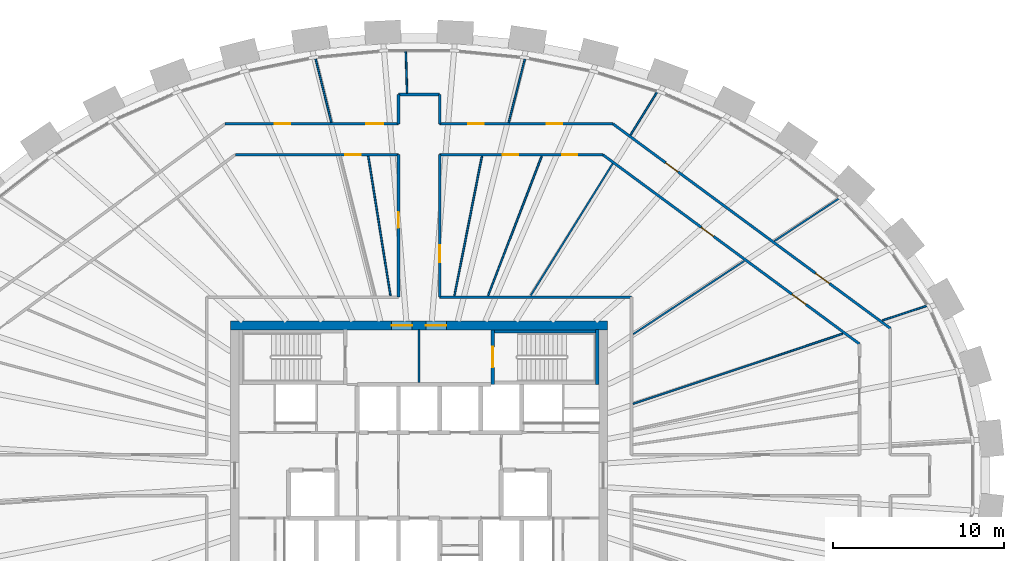
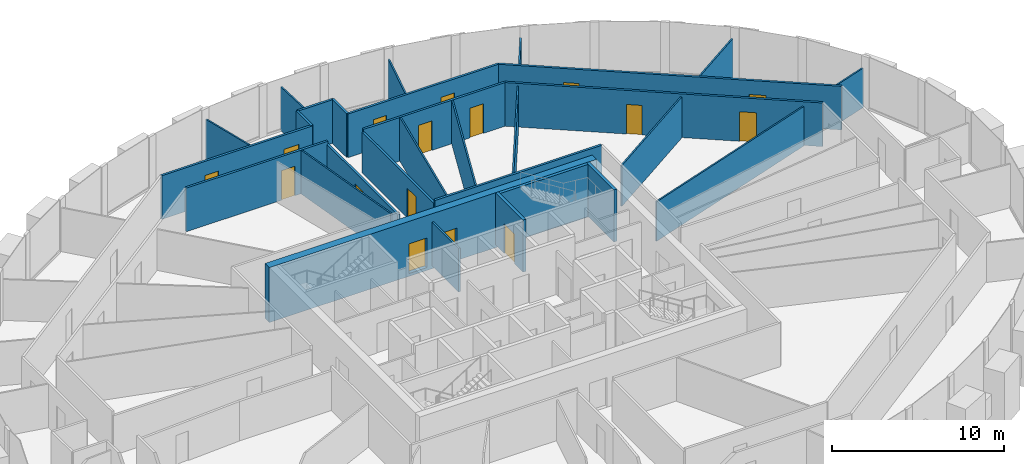
# One storey, part 10 of 12: 29 walls, 16 doors, 16 openings.
"""IFC4 building model written with IfcOpenShell, lengths in metres."""

from ifc_helpers import new_model, si_unit, direction, frame, frame_2d, origin, place, context, subcontext, project, spatial, rectangle, extrude, source, transform, mapped, material, layer, layer_set, type_object, element, fill, save


model = new_model("IFC4")

# Units and contexts
model_context = context("Model", 3, precision=1e-05, world=origin(), true_north=direction((0.0, 1.0)))
body_context = subcontext(model_context, "Body", "Model", "MODEL_VIEW")
ifc_project = project(units=[si_unit("LENGTHUNIT", "METRE"), si_unit("AREAUNIT", "SQUARE_METRE"), si_unit("VOLUMEUNIT", "CUBIC_METRE"), si_unit("PLANEANGLEUNIT", "RADIAN"), si_unit("MASSUNIT", "GRAM", prefix="KILO")], contexts=[model_context])

# Site, building, storey
site_placement = place(None, origin())
site = spatial("IfcSite", under=ifc_project, at=site_placement, CompositionType="ELEMENT")
building_placement = place(site_placement, origin())
building = spatial("IfcBuilding", under=site, at=building_placement, Name="Embergate Tower", CompositionType="ELEMENT")
storey_placement = place(building_placement, frame((0.0, 0.0, 250.0)))
storey = spatial("IfcBuildingStorey", under=building, at=storey_placement, Name="L57", CompositionType="ELEMENT", Elevation=250.0)

# Wall, openings, doors
ifc_material_1 = material(Name="Concrete C50", Category="concrete")
ifc_layer_1 = layer(ifc_material_1, 0.5)
ifc_layer_set_1 = layer_set([ifc_layer_1], Name="Concrete C50")
wall_type_1 = type_object("IfcWallType", Name="Core outer wall C50 500", PredefinedType="SHEAR", material=ifc_layer_set_1)
shared_shape_1 = source(origin(), body_context, "Body", "SweptSolid", [
    extrude(rectangle(XDim=22.0, YDim=0.5, at=frame_2d((11.0, 0.0))), origin(), (0.0, 0.0, 1.0), 3.89990234375),
])
wall_1_placement = place(storey_placement, frame((-11.0, 8.75, -0.199951171875), z_axis=(0.0, 0.0, 1.0), x_axis=(1.0, 0.0, 0.0)))
wall_1 = element("IfcWall", 1, at=wall_1_placement, inside=storey, type_object=wall_type_1, Name="CW-L57-N", PredefinedType="SHEAR", context=body_context, shape_type="MappedRepresentation", body=[
    mapped(shared_shape_1, transform((0.0, 0.0, 0.0))),
])
shared_shape_2 = source(origin(), body_context, "Body", "SweptSolid", [
    extrude(rectangle(XDim=1.199951171875, YDim=2.10009765625, at=frame_2d((0.60009765625, 1.050048828125))), frame((0.0, 0.260009765625, 0.0), z_axis=(0.0, -1.0, 0.0), x_axis=(1.0, 0.0, 0.0)), (0.0, 0.0, 1.0), 0.52001953125),
])
opening_1_placement = place(wall_1_placement, frame((9.39990234375, 0.0, 0.199951171875)))
opening_1 = element("IfcOpeningElement", 2, at=opening_1_placement, cuts=wall_1, Name="Opening IF-1", PredefinedType="OPENING", context=body_context, shape_type="MappedRepresentation", body=[
    mapped(shared_shape_2, transform((0.0, 0.0, 0.0))),
])
opening_2_placement = place(wall_1_placement, frame((11.39990234375, 0.0, 0.199951171875)))
opening_2 = element("IfcOpeningElement", 3, at=opening_2_placement, cuts=wall_1, Name="Opening IF-1", PredefinedType="OPENING", context=body_context, shape_type="MappedRepresentation", body=[
    mapped(shared_shape_2, transform((0.0, 0.0, 0.0))),
])
ifc_material_2 = material(Name="Escape fire door 1200")
door_type_1 = type_object("IfcDoorType", Name="Escape fire door 1200", OperationType="SINGLE_SWING_LEFT", PredefinedType="DOOR", material=ifc_material_2)
shared_shape_3 = source(origin(), body_context, "Body", "SweptSolid", [
    extrude(rectangle(XDim=1.199951171875, YDim=2.10009765625, at=frame_2d((0.60009765625, 1.050048828125))), frame((0.0, 0.02490234375, 0.0), z_axis=(0.0, -1.0, 0.0), x_axis=(1.0, 0.0, 0.0)), (0.0, 0.0, 1.0), 0.050048828125),
])
door_1_placement = place(opening_1_placement, origin())
door_1 = element("IfcDoor", 4, at=door_1_placement, inside=storey, type_object=door_type_1, Name="IF-1 door", OperationType="SINGLE_SWING_LEFT", OverallHeight=2.10009765625, OverallWidth=1.199951171875, PredefinedType="DOOR", context=body_context, shape_type="MappedRepresentation", body=[
    mapped(shared_shape_3, transform((0.0, 0.0, 0.0))),
])
fill(opening_1, door_1)
door_2_placement = place(opening_2_placement, origin())
door_2 = element("IfcDoor", 5, at=door_2_placement, inside=storey, type_object=door_type_1, Name="IF-1 door", OperationType="SINGLE_SWING_LEFT", OverallHeight=2.10009765625, OverallWidth=1.199951171875, PredefinedType="DOOR", context=body_context, shape_type="MappedRepresentation", body=[
    mapped(shared_shape_3, transform((0.0, 0.0, 0.0))),
])
fill(opening_2, door_2)

# Wall, opening, door
ifc_layer_2 = layer(ifc_material_1, 0.199951171875)
ifc_layer_set_2 = layer_set([ifc_layer_2], Name="Concrete C50")
wall_type_2 = type_object("IfcWallType", Name="Stair enclosure wall reinforced concrete 250", PredefinedType="SHEAR", material=ifc_layer_set_2)
shared_shape_4 = source(origin(), body_context, "Body", "SweptSolid", [
    extrude(rectangle(XDim=3.199951171875, YDim=0.199951171875, at=frame_2d((1.60009765625, 0.0))), origin(), (0.0, 0.0, 1.0), 3.699951171875),
])
wall_2_placement = place(storey_placement, frame((4.300048828125, 8.5, 0.0), z_axis=(0.0, 0.0, 1.0), x_axis=(0.0, -1.0, 0.0)))
wall_2 = element("IfcWall", 6, at=wall_2_placement, inside=storey, type_object=wall_type_2, Name="SE-1 wall", PredefinedType="SHEAR", context=body_context, shape_type="MappedRepresentation", body=[
    mapped(shared_shape_4, transform((0.0, 0.0, 0.0))),
])
shared_shape_5 = source(origin(), body_context, "Body", "SweptSolid", [
    extrude(rectangle(XDim=1.199951171875, YDim=2.10009765625, at=frame_2d((0.60009765625, 1.050048828125))), frame((0.0, 0.10986328125, 0.0), z_axis=(0.0, -1.0, 0.0), x_axis=(1.0, 0.0, 0.0)), (0.0, 0.0, 1.0), 0.219970703125),
])
opening_3_placement = place(wall_2_placement, frame((1.0, 0.0, 0.0)))
opening_3 = element("IfcOpeningElement", 7, at=opening_3_placement, cuts=wall_2, Name="Opening IF-2", PredefinedType="OPENING", context=body_context, shape_type="MappedRepresentation", body=[
    mapped(shared_shape_5, transform((0.0, 0.0, 0.0))),
])
ifc_material_3 = material(Name="Stair enclosure door 1200")
door_type_2 = type_object("IfcDoorType", Name="Stair enclosure door 1200", OperationType="SINGLE_SWING_LEFT", PredefinedType="DOOR", material=ifc_material_3)
door_3_placement = place(opening_3_placement, origin())
door_3 = element("IfcDoor", 8, at=door_3_placement, inside=storey, type_object=door_type_2, Name="IF-2 door", OperationType="SINGLE_SWING_LEFT", OverallHeight=2.10009765625, OverallWidth=1.199951171875, PredefinedType="DOOR", context=body_context, shape_type="MappedRepresentation", body=[
    mapped(shared_shape_3, transform((0.0, 0.0, 0.0))),
])
fill(opening_3, door_3)

# Wall
wall_3_placement = place(storey_placement, frame((10.39990234375, 5.300048828125, 0.0), z_axis=(0.0, 0.0, 1.0), x_axis=(0.0, 1.0, 0.0)))
element("IfcWall", 9, at=wall_3_placement, inside=storey, type_object=wall_type_2, Name="SE-1 wall", PredefinedType="SHEAR", context=body_context, shape_type="MappedRepresentation", body=[
    mapped(shared_shape_4, transform((0.0, 0.0, 0.0))),
])

# Wall, opening, door
ifc_material_4 = material(Name="Corridor wall dry-lined 150")
ifc_layer_3 = layer(ifc_material_4, 0.14990234375)
ifc_layer_set_3 = layer_set([ifc_layer_3], Name="Corridor wall dry-lined 150")
wall_type_3 = type_object("IfcWallType", Name="Corridor wall dry-lined 150", PredefinedType="PARTITIONING", material=ifc_layer_set_3)
shared_shape_6 = source(origin(), body_context, "Body", "SweptSolid", [
    extrude(rectangle(XDim=8.318115234375, YDim=0.14990234375, at=frame_2d((4.1591796875, 0.0))), origin(), (0.0, 0.0, 1.0), 2.89990234375),
])
wall_4_placement = place(storey_placement, frame((-1.199951171875, 10.39990234375, 0.0), z_axis=(0.0, 0.0, 1.0), x_axis=(0.0, 1.0, 0.0)))
wall_4 = element("IfcWall", 10, at=wall_4_placement, inside=storey, type_object=wall_type_3, Name="IP-2 wall", PredefinedType="PARTITIONING", context=body_context, shape_type="MappedRepresentation", body=[
    mapped(shared_shape_6, transform((0.0, 0.0, 0.0))),
])
shared_shape_7 = source(origin(), body_context, "Body", "SweptSolid", [
    extrude(rectangle(XDim=0.89990234375, YDim=2.10009765625, at=frame_2d((0.449951171875, 1.050048828125))), frame((0.0, 0.0849609375, 0.0), z_axis=(0.0, -1.0, 0.0), x_axis=(1.0, 0.0, 0.0)), (0.0, 0.0, 1.0), 0.169921875),
])
opening_4_placement = place(wall_4_placement, frame((4.050048828125, 0.0, 0.0)))
opening_4 = element("IfcOpeningElement", 11, at=opening_4_placement, cuts=wall_4, Name="Opening IF-1c", PredefinedType="OPENING", context=body_context, shape_type="MappedRepresentation", body=[
    mapped(shared_shape_7, transform((0.0, 0.0, 0.0))),
])
ifc_material_5 = material(Name="Escape fire door 900")
door_type_3 = type_object("IfcDoorType", Name="Escape fire door 900", OperationType="SINGLE_SWING_LEFT", PredefinedType="DOOR", material=ifc_material_5)
shared_shape_8 = source(origin(), body_context, "Body", "SweptSolid", [
    extrude(rectangle(XDim=0.89990234375, YDim=2.10009765625, at=frame_2d((0.449951171875, 1.050048828125))), frame((0.0, 0.02490234375, 0.0), z_axis=(0.0, -1.0, 0.0), x_axis=(1.0, 0.0, 0.0)), (0.0, 0.0, 1.0), 0.050048828125),
])
door_4_placement = place(opening_4_placement, origin())
door_4 = element("IfcDoor", 12, at=door_4_placement, inside=storey, type_object=door_type_3, Name="IF-1 door", OperationType="SINGLE_SWING_RIGHT", OverallHeight=2.10009765625, OverallWidth=0.89990234375, PredefinedType="DOOR", context=body_context, shape_type="MappedRepresentation", body=[
    mapped(shared_shape_8, transform((0.0, 0.0, 0.0))),
])
fill(opening_4, door_4)

wall_5_placement = place(storey_placement, frame((1.199951171875, 18.718017578125, 0.0), z_axis=(0.0, 0.0, 1.0), x_axis=(0.0, -1.0, 0.0)))
wall_5 = element("IfcWall", 13, at=wall_5_placement, inside=storey, type_object=wall_type_3, Name="IP-2 wall", PredefinedType="PARTITIONING", context=body_context, shape_type="MappedRepresentation", body=[
    mapped(shared_shape_6, transform((0.0, 0.0, 0.0))),
])
shared_shape_9 = source(origin(), body_context, "Body", "SweptSolid", [
    extrude(rectangle(XDim=1.0, YDim=2.10009765625, at=frame_2d((0.5, 1.050048828125))), frame((0.0, 0.0849609375, 0.0), z_axis=(0.0, -1.0, 0.0), x_axis=(1.0, 0.0, 0.0)), (0.0, 0.0, 1.0), 0.169921875),
])
opening_5_placement = place(wall_5_placement, frame((5.270751953125, 0.0, 0.0)))
opening_5 = element("IfcOpeningElement", 14, at=opening_5_placement, cuts=wall_5, Name="Opening ID-2", PredefinedType="OPENING", context=body_context, shape_type="MappedRepresentation", body=[
    mapped(shared_shape_9, transform((0.0, 0.0, 0.0))),
])
ifc_material_6 = material(Name="Interior door 1000")
door_type_4 = type_object("IfcDoorType", Name="Interior door 1000", OperationType="SINGLE_SWING_LEFT", PredefinedType="DOOR", material=ifc_material_6)
shared_shape_10 = source(origin(), body_context, "Body", "SweptSolid", [
    extrude(rectangle(XDim=1.0, YDim=2.10009765625, at=frame_2d((0.5, 1.050048828125))), frame((0.0, 0.02490234375, 0.0), z_axis=(0.0, -1.0, 0.0), x_axis=(1.0, 0.0, 0.0)), (0.0, 0.0, 1.0), 0.050048828125),
])
door_5_placement = place(opening_5_placement, origin())
door_5 = element("IfcDoor", 15, at=door_5_placement, inside=storey, type_object=door_type_4, Name="ID-2 door", OperationType="SINGLE_SWING_LEFT", OverallHeight=2.10009765625, OverallWidth=1.0, PredefinedType="DOOR", context=body_context, shape_type="MappedRepresentation", body=[
    mapped(shared_shape_10, transform((0.0, 0.0, 0.0))),
])
fill(opening_5, door_5)

# Walls
ifc_material_7 = material(Name="Partition dry-lined 100")
ifc_layer_4 = layer(ifc_material_7, 0.10009765625)
ifc_layer_set_4 = layer_set([ifc_layer_4], Name="Partition dry-lined 100")
wall_type_4 = type_object("IfcWallType", Name="Partition dry-lined 100", PredefinedType="PARTITIONING", material=ifc_layer_set_4)
shared_shape_11 = source(origin(), body_context, "Body", "SweptSolid", [
    extrude(rectangle(XDim=4.563720703125, YDim=0.10009765625, at=frame_2d((2.28173828125, 0.0))), origin(), (0.0, 0.0, 1.0), 2.89990234375),
])
wall_6_placement = place(storey_placement, frame((20.75, 13.678955078125, 0.0), z_axis=(0.0, 0.0, 1.0), x_axis=(0.834878865051, 0.550433720525, 0.0)))
element("IfcWall", 16, at=wall_6_placement, inside=storey, type_object=wall_type_4, Name="IP-1 wall", PredefinedType="PARTITIONING", context=body_context, shape_type="MappedRepresentation", body=[
    mapped(shared_shape_11, transform((0.0, 0.0, 0.0))),
])
shared_shape_12 = source(origin(), body_context, "Body", "SweptSolid", [
    extrude(rectangle(XDim=3.010498046875, YDim=0.10009765625, at=frame_2d((1.50537109375, 0.0))), origin(), (0.0, 0.0, 1.0), 2.89990234375),
])
wall_7_placement = place(storey_placement, frame((12.3349609375, 19.861083984375, 0.0), z_axis=(0.0, 0.0, 1.0), x_axis=(0.52786139666, 0.849330528072, 0.0)))
element("IfcWall", 17, at=wall_7_placement, inside=storey, type_object=wall_type_4, Name="IP-1 wall", PredefinedType="PARTITIONING", context=body_context, shape_type="MappedRepresentation", body=[
    mapped(shared_shape_12, transform((0.0, 0.0, 0.0))),
])
shared_shape_13 = source(origin(), body_context, "Body", "SweptSolid", [
    extrude(rectangle(XDim=7.7646484375, YDim=0.10009765625, at=frame_2d((3.88232421875, 0.0))), origin(), (0.0, 0.0, 1.0), 2.89990234375),
])
wall_8_placement = place(storey_placement, frame((12.501953125, 8.241943359375, 0.0), z_axis=(0.0, 0.0, 1.0), x_axis=(0.834960503085, 0.550309874788, 0.0)))
element("IfcWall", 18, at=wall_8_placement, inside=storey, type_object=wall_type_4, Name="IP-1 wall", PredefinedType="PARTITIONING", context=body_context, shape_type="MappedRepresentation", body=[
    mapped(shared_shape_13, transform((0.0, 0.0, 0.0))),
])
shared_shape_14 = source(origin(), body_context, "Body", "SweptSolid", [
    extrude(rectangle(XDim=9.063232421875, YDim=0.10009765625, at=frame_2d((4.53173828125, 0.0))), origin(), (0.0, 0.0, 1.0), 2.89990234375),
])
wall_9_placement = place(storey_placement, frame((6.52197265625, 10.5009765625, 0.0), z_axis=(0.0, 0.0, 1.0), x_axis=(0.52762636224, 0.849476557575, 0.0)))
element("IfcWall", 19, at=wall_9_placement, inside=storey, type_object=wall_type_4, Name="IP-1 wall", PredefinedType="PARTITIONING", context=body_context, shape_type="MappedRepresentation", body=[
    mapped(shared_shape_14, transform((0.0, 0.0, 0.0))),
])
shared_shape_15 = source(origin(), body_context, "Body", "SweptSolid", [
    extrude(rectangle(XDim=3.889892578125, YDim=0.10009765625, at=frame_2d((1.94482421875, 0.0))), origin(), (0.0, 0.0, 1.0), 2.89990234375),
])
wall_10_placement = place(storey_placement, frame((5.237060546875, 20.60498046875, 0.0), z_axis=(0.0, 0.0, 1.0), x_axis=(0.246284867829, 0.969197484457, 0.0)))
element("IfcWall", 20, at=wall_10_placement, inside=storey, type_object=wall_type_4, Name="IP-1 wall", PredefinedType="PARTITIONING", context=body_context, shape_type="MappedRepresentation", body=[
    mapped(shared_shape_15, transform((0.0, 0.0, 0.0))),
])
shared_shape_16 = source(origin(), body_context, "Body", "SweptSolid", [
    extrude(rectangle(XDim=3.905029296875, YDim=0.10009765625, at=frame_2d((1.95263671875, 0.0))), origin(), (0.0, 0.0, 1.0), 2.89990234375),
])
wall_11_placement = place(storey_placement, frame((-5.116943359375, 20.60498046875, 0.0), z_axis=(0.0, 0.0, 1.0), x_axis=(-0.241005480194, 0.970523754741, 0.0)))
element("IfcWall", 21, at=wall_11_placement, inside=storey, type_object=wall_type_4, Name="IP-1 wall", PredefinedType="PARTITIONING", context=body_context, shape_type="MappedRepresentation", body=[
    mapped(shared_shape_16, transform((0.0, 0.0, 0.0))),
])
shared_shape_17 = source(origin(), body_context, "Body", "SweptSolid", [
    extrude(rectangle(XDim=6.298095703125, YDim=0.199951171875, at=frame_2d((3.14892578125, 0.0))), origin(), (0.0, 0.0, 1.0), 3.699951171875),
])
wall_12_placement = place(storey_placement, frame((10.5, 8.39990234375, 0.0), z_axis=(0.0, 0.0, 1.0), x_axis=(-1.0, 0.0, 0.0)))
element("IfcWall", 22, at=wall_12_placement, inside=storey, type_object=wall_type_2, Name="SE-1 wall", PredefinedType="SHEAR", context=body_context, shape_type="MappedRepresentation", body=[
    mapped(shared_shape_17, transform((0.0, 0.0, 0.0))),
])

# Wall, openings, doors
ifc_material_8 = material(Name="Corridor wall dry-lined 150 wet")
ifc_layer_5 = layer(ifc_material_8, 0.14990234375)
ifc_layer_set_5 = layer_set([ifc_layer_5], Name="Corridor wall dry-lined 150 wet")
wall_type_5 = type_object("IfcWallType", Name="Corridor wall dry-lined 150 wet", PredefinedType="PLUMBINGWALL", material=ifc_layer_set_5)
shared_shape_18 = source(origin(), body_context, "Body", "SweptSolid", [
    extrude(rectangle(XDim=20.116455078125, YDim=0.14990234375, at=frame_2d((10.05810546875, 0.0))), origin(), (0.0, 0.0, 1.0), 3.10009765625),
])
wall_13_placement = place(storey_placement, frame((11.319091796875, 20.51806640625, 0.0), z_axis=(0.0, 0.0, 1.0), x_axis=(0.804910001979, -0.593396906559, 0.0)))
wall_13 = element("IfcWall", 23, at=wall_13_placement, inside=storey, type_object=wall_type_5, Name="IP-2 wall", PredefinedType="PLUMBINGWALL", context=body_context, shape_type="MappedRepresentation", body=[
    mapped(shared_shape_18, transform((0.0, 0.0, 0.0))),
])
opening_6_placement = place(wall_13_placement, frame((14.701904296875, 0.0, 0.0)))
opening_6 = element("IfcOpeningElement", 24, at=opening_6_placement, cuts=wall_13, Name="Opening ID-2", PredefinedType="OPENING", context=body_context, shape_type="MappedRepresentation", body=[
    mapped(shared_shape_9, transform((0.0, 0.0, 0.0))),
])
opening_7_placement = place(wall_13_placement, frame((3.82666015625, 0.0, 0.0)))
opening_7 = element("IfcOpeningElement", 25, at=opening_7_placement, cuts=wall_13, Name="Opening IF-1c", PredefinedType="OPENING", context=body_context, shape_type="MappedRepresentation", body=[
    mapped(shared_shape_7, transform((0.0, 0.0, 0.0))),
])
door_6_placement = place(opening_7_placement, origin())
door_6 = element("IfcDoor", 26, at=door_6_placement, inside=storey, type_object=door_type_3, Name="IF-1 door", OperationType="SINGLE_SWING_LEFT", OverallHeight=2.10009765625, OverallWidth=0.89990234375, PredefinedType="DOOR", context=body_context, shape_type="MappedRepresentation", body=[
    mapped(shared_shape_8, transform((0.0, 0.0, 0.0))),
])
fill(opening_7, door_6)
door_7_placement = place(opening_6_placement, origin())
door_7 = element("IfcDoor", 27, at=door_7_placement, inside=storey, type_object=door_type_4, Name="ID-2 door", OperationType="SINGLE_SWING_LEFT", OverallHeight=2.10009765625, OverallWidth=1.0, PredefinedType="DOOR", context=body_context, shape_type="MappedRepresentation", body=[
    mapped(shared_shape_10, transform((0.0, 0.0, 0.0))),
])
fill(opening_6, door_7)

shared_shape_19 = source(origin(), body_context, "Body", "SweptSolid", [
    extrude(rectangle(XDim=18.615966796875, YDim=0.14990234375, at=frame_2d((9.30810546875, 0.0))), origin(), (0.0, 0.0, 1.0), 3.10009765625),
])
wall_14_placement = place(storey_placement, frame((10.72705078125, 18.718017578125, 0.0), z_axis=(0.0, 0.0, 1.0), x_axis=(0.804892640185, -0.593420456149, 0.0)))
wall_14 = element("IfcWall", 28, at=wall_14_placement, inside=storey, type_object=wall_type_5, Name="IP-2 wall", PredefinedType="PLUMBINGWALL", context=body_context, shape_type="MappedRepresentation", body=[
    mapped(shared_shape_19, transform((0.0, 0.0, 0.0))),
])
opening_8_placement = place(wall_14_placement, frame((13.73486328125, 0.0, 0.0)))
opening_8 = element("IfcOpeningElement", 29, at=opening_8_placement, cuts=wall_14, Name="Opening ID-2", PredefinedType="OPENING", context=body_context, shape_type="MappedRepresentation", body=[
    mapped(shared_shape_9, transform((0.0, 0.0, 0.0))),
])
opening_9_placement = place(wall_14_placement, frame((7.1396484375, 0.0, 0.0)))
opening_9 = element("IfcOpeningElement", 30, at=opening_9_placement, cuts=wall_14, Name="Opening IF-1c", PredefinedType="OPENING", context=body_context, shape_type="MappedRepresentation", body=[
    mapped(shared_shape_7, transform((0.0, 0.0, 0.0))),
])
door_8_placement = place(opening_9_placement, origin())
door_8 = element("IfcDoor", 31, at=door_8_placement, inside=storey, type_object=door_type_3, Name="IF-1 door", OperationType="SINGLE_SWING_LEFT", OverallHeight=2.10009765625, OverallWidth=0.89990234375, PredefinedType="DOOR", context=body_context, shape_type="MappedRepresentation", body=[
    mapped(shared_shape_8, transform((0.0, 0.0, 0.0))),
])
fill(opening_9, door_8)
door_9_placement = place(opening_8_placement, origin())
door_9 = element("IfcDoor", 32, at=door_9_placement, inside=storey, type_object=door_type_4, Name="ID-2 door", OperationType="SINGLE_SWING_LEFT", OverallHeight=2.10009765625, OverallWidth=1.0, PredefinedType="DOOR", context=body_context, shape_type="MappedRepresentation", body=[
    mapped(shared_shape_10, transform((0.0, 0.0, 0.0))),
])
fill(opening_8, door_9)

# Wall
shared_shape_20 = source(origin(), body_context, "Body", "SweptSolid", [
    extrude(rectangle(XDim=11.199951171875, YDim=0.14990234375, at=frame_2d((5.60009765625, 0.0))), origin(), (0.0, 0.0, 1.0), 3.10009765625),
])
wall_15_placement = place(storey_placement, frame((12.39990234375, 10.39990234375, 0.0), z_axis=(0.0, 0.0, 1.0), x_axis=(-1.0, 0.0, 0.0)))
element("IfcWall", 33, at=wall_15_placement, inside=storey, type_object=wall_type_3, Name="IP-2 wall", PredefinedType="PARTITIONING", context=body_context, shape_type="MappedRepresentation", body=[
    mapped(shared_shape_20, transform((0.0, 0.0, 0.0))),
])

# Wall, openings, doors
shared_shape_21 = source(origin(), body_context, "Body", "SweptSolid", [
    extrude(rectangle(XDim=10.119140625, YDim=0.14990234375, at=frame_2d((5.0595703125, 0.0))), origin(), (0.0, 0.0, 1.0), 3.10009765625),
])
wall_16_placement = place(storey_placement, frame((1.199951171875, 20.51806640625, 0.0), z_axis=(0.0, 0.0, 1.0), x_axis=(1.0, 0.0, 0.0)))
wall_16 = element("IfcWall", 34, at=wall_16_placement, inside=storey, type_object=wall_type_3, Name="IP-2 wall", PredefinedType="PARTITIONING", context=body_context, shape_type="MappedRepresentation", body=[
    mapped(shared_shape_21, transform((0.0, 0.0, 0.0))),
])
opening_10_placement = place(wall_16_placement, frame((6.248046875, 0.0, 0.0)))
opening_10 = element("IfcOpeningElement", 35, at=opening_10_placement, cuts=wall_16, Name="Opening IF-1c", PredefinedType="OPENING", context=body_context, shape_type="MappedRepresentation", body=[
    mapped(shared_shape_7, transform((0.0, 0.0, 0.0))),
])
opening_11_placement = place(wall_16_placement, frame((1.68310546875, 0.0, 0.0)))
opening_11 = element("IfcOpeningElement", 36, at=opening_11_placement, cuts=wall_16, Name="Opening IF-1c", PredefinedType="OPENING", context=body_context, shape_type="MappedRepresentation", body=[
    mapped(shared_shape_7, transform((0.0, 0.0, 0.0))),
])
door_10_placement = place(opening_10_placement, origin())
door_10 = element("IfcDoor", 37, at=door_10_placement, inside=storey, type_object=door_type_3, Name="IF-1 door", OperationType="SINGLE_SWING_RIGHT", OverallHeight=2.10009765625, OverallWidth=0.89990234375, PredefinedType="DOOR", context=body_context, shape_type="MappedRepresentation", body=[
    mapped(shared_shape_8, transform((0.0, 0.0, 0.0))),
])
fill(opening_10, door_10)
door_11_placement = place(opening_11_placement, origin())
door_11 = element("IfcDoor", 38, at=door_11_placement, inside=storey, type_object=door_type_3, Name="IF-1 door", OperationType="SINGLE_SWING_RIGHT", OverallHeight=2.10009765625, OverallWidth=0.89990234375, PredefinedType="DOOR", context=body_context, shape_type="MappedRepresentation", body=[
    mapped(shared_shape_8, transform((0.0, 0.0, 0.0))),
])
fill(opening_11, door_11)

wall_17_placement = place(storey_placement, frame((-11.319091796875, 20.51806640625, 0.0), z_axis=(0.0, 0.0, 1.0), x_axis=(1.0, 0.0, 0.0)))
wall_17 = element("IfcWall", 39, at=wall_17_placement, inside=storey, type_object=wall_type_3, Name="IP-2 wall", PredefinedType="PARTITIONING", context=body_context, shape_type="MappedRepresentation", body=[
    mapped(shared_shape_21, transform((0.0, 0.0, 0.0))),
])
opening_12_placement = place(wall_17_placement, frame((8.2216796875, 0.0, 0.0)))
opening_12 = element("IfcOpeningElement", 40, at=opening_12_placement, cuts=wall_17, Name="Opening ID-2", PredefinedType="OPENING", context=body_context, shape_type="MappedRepresentation", body=[
    mapped(shared_shape_9, transform((0.0, 0.0, 0.0))),
])
opening_13_placement = place(wall_17_placement, frame((2.897705078125, 0.0, 0.0)))
opening_13 = element("IfcOpeningElement", 41, at=opening_13_placement, cuts=wall_17, Name="Opening IF-1c", PredefinedType="OPENING", context=body_context, shape_type="MappedRepresentation", body=[
    mapped(shared_shape_7, transform((0.0, 0.0, 0.0))),
])
door_12_placement = place(opening_13_placement, origin())
door_12 = element("IfcDoor", 42, at=door_12_placement, inside=storey, type_object=door_type_3, Name="IF-1 door", OperationType="SINGLE_SWING_LEFT", OverallHeight=2.10009765625, OverallWidth=0.89990234375, PredefinedType="DOOR", context=body_context, shape_type="MappedRepresentation", body=[
    mapped(shared_shape_8, transform((0.0, 0.0, 0.0))),
])
fill(opening_13, door_12)
door_13_placement = place(opening_12_placement, origin())
door_13 = element("IfcDoor", 43, at=door_13_placement, inside=storey, type_object=door_type_4, Name="ID-2 door", OperationType="SINGLE_SWING_RIGHT", OverallHeight=2.10009765625, OverallWidth=1.0, PredefinedType="DOOR", context=body_context, shape_type="MappedRepresentation", body=[
    mapped(shared_shape_10, transform((0.0, 0.0, 0.0))),
])
fill(opening_12, door_13)

# Walls
shared_shape_22 = source(origin(), body_context, "Body", "SweptSolid", [
    extrude(rectangle(XDim=1.7158203125, YDim=0.14990234375, at=frame_2d((0.85791015625, 0.0))), origin(), (0.0, 0.0, 1.0), 3.10009765625),
])
for number, where, z_axis, x_axis, name in (
    (44, (1.199951171875, 22.23388671875, 0.0), (0.0, 0.0, 1.0), (0.0, -1.0, 0.0), "IP-2 wall"),
    (45, (-1.199951171875, 20.51806640625, 0.0), (0.0, 0.0, 1.0), (0.0, 1.0, 0.0), "IP-2 wall"),
):
    element("IfcWall", number, at=place(storey_placement, frame(where, z_axis=z_axis, x_axis=x_axis)), inside=storey, type_object=wall_type_3, Name=name, PredefinedType="PARTITIONING", context=body_context, shape_type="MappedRepresentation", body=[
        mapped(shared_shape_22, transform((0.0, 0.0, 0.0))),
    ])
shared_shape_23 = source(origin(), body_context, "Body", "SweptSolid", [
    extrude(rectangle(XDim=2.39990234375, YDim=0.14990234375, at=frame_2d((1.199951171875, 0.0))), origin(), (0.0, 0.0, 1.0), 3.10009765625),
])
wall_18_placement = place(storey_placement, frame((-1.199951171875, 22.23388671875, 0.0), z_axis=(0.0, 0.0, 1.0), x_axis=(1.0, 0.0, 0.0)))
element("IfcWall", 46, at=wall_18_placement, inside=storey, type_object=wall_type_3, Name="IP-2 wall", PredefinedType="PARTITIONING", context=body_context, shape_type="MappedRepresentation", body=[
    mapped(shared_shape_23, transform((0.0, 0.0, 0.0))),
])

# Wall, opening, door
shared_shape_24 = source(origin(), body_context, "Body", "SweptSolid", [
    extrude(rectangle(XDim=9.527099609375, YDim=0.14990234375, at=frame_2d((4.763671875, 0.0))), origin(), (0.0, 0.0, 1.0), 3.10009765625),
])
wall_19_placement = place(storey_placement, frame((-1.199951171875, 18.718017578125, 0.0), z_axis=(0.0, 0.0, 1.0), x_axis=(-1.0, 0.0, 0.0)))
wall_19 = element("IfcWall", 47, at=wall_19_placement, inside=storey, type_object=wall_type_3, Name="IP-2 wall", PredefinedType="PARTITIONING", context=body_context, shape_type="MappedRepresentation", body=[
    mapped(shared_shape_24, transform((0.0, 0.0, 0.0))),
])
opening_14_placement = place(wall_19_placement, frame((2.2060546875, 0.0, 0.0)))
opening_14 = element("IfcOpeningElement", 48, at=opening_14_placement, cuts=wall_19, Name="Opening IF-1c", PredefinedType="OPENING", context=body_context, shape_type="MappedRepresentation", body=[
    mapped(shared_shape_7, transform((0.0, 0.0, 0.0))),
])
door_14_placement = place(opening_14_placement, origin())
door_14 = element("IfcDoor", 49, at=door_14_placement, inside=storey, type_object=door_type_3, Name="IF-1 door", OperationType="SINGLE_SWING_RIGHT", OverallHeight=2.10009765625, OverallWidth=0.89990234375, PredefinedType="DOOR", context=body_context, shape_type="MappedRepresentation", body=[
    mapped(shared_shape_8, transform((0.0, 0.0, 0.0))),
])
fill(opening_14, door_14)

# Wall, openings, doors
wall_20_placement = place(storey_placement, frame((1.199951171875, 18.718017578125, 0.0), z_axis=(0.0, 0.0, 1.0), x_axis=(1.0, 0.0, 0.0)))
wall_20 = element("IfcWall", 50, at=wall_20_placement, inside=storey, type_object=wall_type_3, Name="IP-2 wall", PredefinedType="PARTITIONING", context=body_context, shape_type="MappedRepresentation", body=[
    mapped(shared_shape_24, transform((0.0, 0.0, 0.0))),
])
opening_15_placement = place(wall_20_placement, frame((7.14501953125, 0.0, 0.0)))
opening_15 = element("IfcOpeningElement", 51, at=opening_15_placement, cuts=wall_20, Name="Opening IF-1c", PredefinedType="OPENING", context=body_context, shape_type="MappedRepresentation", body=[
    mapped(shared_shape_7, transform((0.0, 0.0, 0.0))),
])
opening_16_placement = place(wall_20_placement, frame((3.69091796875, 0.0, 0.0)))
opening_16 = element("IfcOpeningElement", 52, at=opening_16_placement, cuts=wall_20, Name="Opening IF-1c", PredefinedType="OPENING", context=body_context, shape_type="MappedRepresentation", body=[
    mapped(shared_shape_7, transform((0.0, 0.0, 0.0))),
])
door_15_placement = place(opening_15_placement, origin())
door_15 = element("IfcDoor", 53, at=door_15_placement, inside=storey, type_object=door_type_3, Name="IF-1 door", OperationType="SINGLE_SWING_RIGHT", OverallHeight=2.10009765625, OverallWidth=0.89990234375, PredefinedType="DOOR", context=body_context, shape_type="MappedRepresentation", body=[
    mapped(shared_shape_8, transform((0.0, 0.0, 0.0))),
])
fill(opening_15, door_15)
door_16_placement = place(opening_16_placement, origin())
door_16 = element("IfcDoor", 54, at=door_16_placement, inside=storey, type_object=door_type_3, Name="IF-1 door", OperationType="SINGLE_SWING_LEFT", OverallHeight=2.10009765625, OverallWidth=0.89990234375, PredefinedType="DOOR", context=body_context, shape_type="MappedRepresentation", body=[
    mapped(shared_shape_8, transform((0.0, 0.0, 0.0))),
])
fill(opening_16, door_16)

# Walls
ifc_material_9 = material(Name="Partition dry-lined 100 wet")
ifc_layer_6 = layer(ifc_material_9, 0.10009765625)
ifc_layer_set_6 = layer_set([ifc_layer_6], Name="Partition dry-lined 100 wet")
wall_type_6 = type_object("IfcWallType", Name="Partition dry-lined 100 wet", PredefinedType="PLUMBINGWALL", material=ifc_layer_set_6)
shared_shape_25 = source(origin(), body_context, "Body", "SweptSolid", [
    extrude(rectangle(XDim=2.779296875, YDim=0.10009765625, at=frame_2d((1.3896484375, 0.0))), origin(), (0.0, 0.0, 1.0), 2.800048828125),
])
wall_21_placement = place(storey_placement, frame((27.06005859375, 9.0419921875, 0.0), z_axis=(0.0, 0.0, 1.0), x_axis=(0.9484194456, 0.317018225356, 0.0)))
element("IfcWall", 55, at=wall_21_placement, inside=storey, type_object=wall_type_6, Name="IP-1 wall", PredefinedType="PLUMBINGWALL", context=body_context, shape_type="MappedRepresentation", body=[
    mapped(shared_shape_25, transform((0.0, 0.0, 0.0))),
])
shared_shape_26 = source(origin(), body_context, "Body", "SweptSolid", [
    extrude(rectangle(XDim=12.906005859375, YDim=0.10009765625, at=frame_2d((6.453125, 0.0))), origin(), (0.0, 0.0, 1.0), 2.800048828125),
])
wall_22_placement = place(storey_placement, frame((12.490966796875, 4.174072265625, 0.0), z_axis=(0.0, 0.0, 1.0), x_axis=(0.948461740931, 0.316891662859, 0.0)))
element("IfcWall", 56, at=wall_22_placement, inside=storey, type_object=wall_type_6, Name="IP-1 wall", PredefinedType="PLUMBINGWALL", context=body_context, shape_type="MappedRepresentation", body=[
    mapped(shared_shape_26, transform((0.0, 0.0, 0.0))),
])
shared_shape_27 = source(origin(), body_context, "Body", "SweptSolid", [
    extrude(rectangle(XDim=2.51708984375, YDim=0.10009765625, at=frame_2d((1.258544921875, 0.0))), origin(), (0.0, 0.0, 1.0), 3.10009765625),
])
wall_23_placement = place(storey_placement, frame((-0.697998046875, 22.30908203125, 0.0), z_axis=(0.0, 0.0, 1.0), x_axis=(-0.030941025384, 0.999521211855, 0.0)))
element("IfcWall", 57, at=wall_23_placement, inside=storey, type_object=wall_type_4, Name="IP-1 wall", PredefinedType="PARTITIONING", context=body_context, shape_type="MappedRepresentation", body=[
    mapped(shared_shape_27, transform((0.0, 0.0, 0.0))),
])
shared_shape_28 = source(origin(), body_context, "Body", "SweptSolid", [
    extrude(rectangle(XDim=8.2548828125, YDim=0.10009765625, at=frame_2d((4.12744140625, 0.0))), origin(), (0.0, 0.0, 1.0), 3.10009765625),
])
wall_24_placement = place(storey_placement, frame((-1.66796875, 10.48291015625, 0.0), z_axis=(0.0, 0.0, 1.0), x_axis=(-0.157253374505, 0.98755829003, 0.0)))
element("IfcWall", 58, at=wall_24_placement, inside=storey, type_object=wall_type_4, Name="IP-1 wall", PredefinedType="PARTITIONING", context=body_context, shape_type="MappedRepresentation", body=[
    mapped(shared_shape_28, transform((0.0, 0.0, 0.0))),
])
shared_shape_29 = source(origin(), body_context, "Body", "SweptSolid", [
    extrude(rectangle(XDim=8.7119140625, YDim=0.10009765625, at=frame_2d((4.35595703125, 0.0))), origin(), (0.0, 0.0, 1.0), 3.10009765625),
])
wall_25_placement = place(storey_placement, frame((4.032958984375, 10.492919921875, 0.0), z_axis=(0.0, 0.0, 1.0), x_axis=(0.358706769307, 0.933450295224, 0.0)))
element("IfcWall", 59, at=wall_25_placement, inside=storey, type_object=wall_type_4, Name="IP-1 wall", PredefinedType="PARTITIONING", context=body_context, shape_type="MappedRepresentation", body=[
    mapped(shared_shape_29, transform((0.0, 0.0, 0.0))),
])
shared_shape_30 = source(origin(), body_context, "Body", "SweptSolid", [
    extrude(rectangle(XDim=8.3046875, YDim=0.10009765625, at=frame_2d((4.15234375, 0.0))), origin(), (0.0, 0.0, 1.0), 3.10009765625),
])
wall_26_placement = place(storey_placement, frame((2.06591796875, 10.485107421875, 0.0), z_axis=(0.0, 0.0, 1.0), x_axis=(0.193407407705, 0.981118532413, 0.0)))
element("IfcWall", 60, at=wall_26_placement, inside=storey, type_object=wall_type_4, Name="IP-1 wall", PredefinedType="PARTITIONING", context=body_context, shape_type="MappedRepresentation", body=[
    mapped(shared_shape_30, transform((0.0, 0.0, 0.0))),
])
ifc_material_10 = material(Name="Core partition blockwork 120")
ifc_layer_7 = layer(ifc_material_10, 0.1201171875)
ifc_layer_set_7 = layer_set([ifc_layer_7], Name="Core partition blockwork 120")
wall_type_7 = type_object("IfcWallType", Name="Core partition blockwork 120", PredefinedType="PARTITIONING", material=ifc_layer_set_7)
shared_shape_31 = source(origin(), body_context, "Body", "SweptSolid", [
    extrude(rectangle(XDim=3.074951171875, YDim=0.1201171875, at=frame_2d((1.53759765625, 0.0))), origin(), (0.0, 0.0, 1.0), 3.10009765625),
])
wall_27_placement = place(storey_placement, frame((0.0, 5.425048828125, 0.0), z_axis=(0.0, 0.0, 1.0), x_axis=(0.0, 1.0, 0.0)))
element("IfcWall", 61, at=wall_27_placement, inside=storey, type_object=wall_type_7, Name="IP-3 wall", PredefinedType="PARTITIONING", context=body_context, shape_type="MappedRepresentation", body=[
    mapped(shared_shape_31, transform((0.0, 0.0, 0.0))),
])

save(model, "model.ifc")
